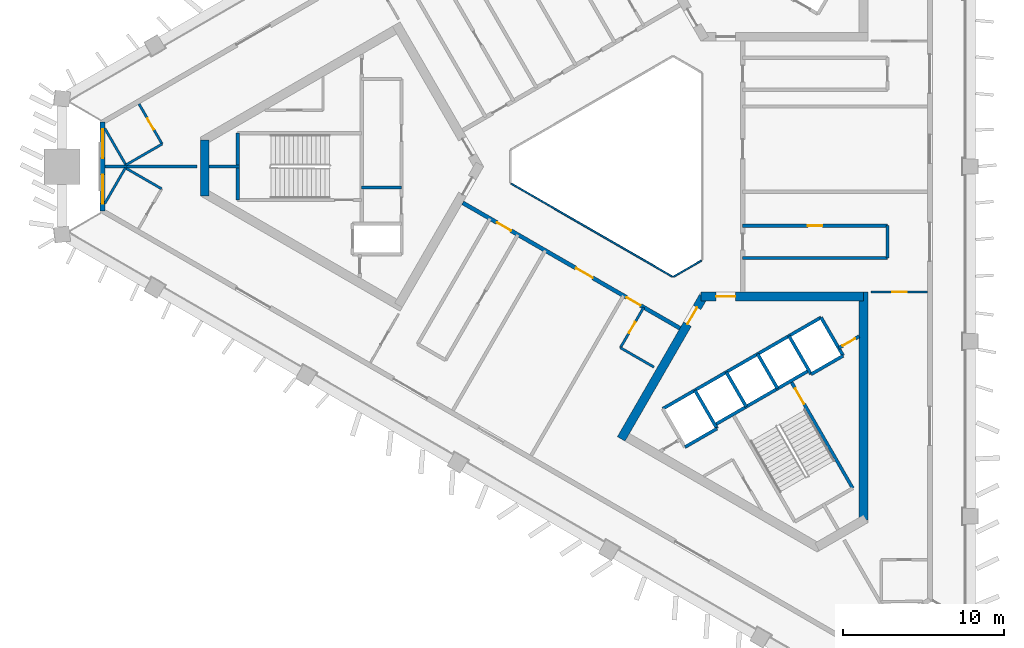
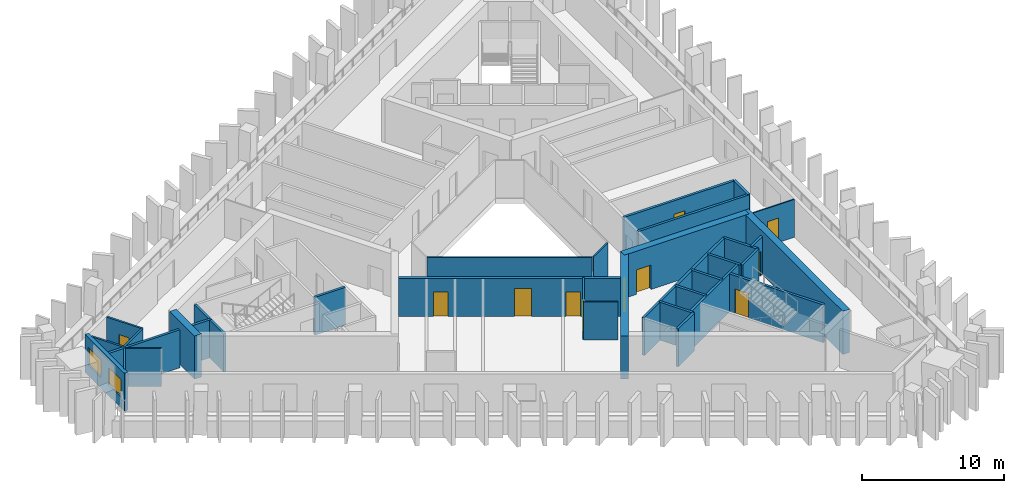
# One storey, part 3 of 10: 34 walls, 11 doors, 2 windows, 13 openings.
"""IFC4 building model written with IfcOpenShell, lengths in metres."""

from ifc_helpers import new_model, si_unit, direction, frame, frame_2d, origin, place, context, subcontext, project, spatial, rectangle, extrude, material, layer, layer_set, type_object, element, fill, save


model = new_model("IFC4")

# Units and contexts
model_context = context("Model", 3, precision=1e-05, world=origin(), true_north=direction((0.0, 1.0)))
body_context = subcontext(model_context, "Body", "Model", "MODEL_VIEW")
ifc_project = project(units=[si_unit("LENGTHUNIT", "METRE"), si_unit("AREAUNIT", "SQUARE_METRE"), si_unit("VOLUMEUNIT", "CUBIC_METRE"), si_unit("PLANEANGLEUNIT", "RADIAN"), si_unit("MASSUNIT", "GRAM", prefix="KILO")], contexts=[model_context])

# Site, building, storey
site_placement = place(None, origin())
site = spatial("IfcSite", under=ifc_project, at=site_placement, CompositionType="ELEMENT")
building_placement = place(site_placement, origin())
building = spatial("IfcBuilding", under=site, at=building_placement, Name="Jabali Bay Hotel Tower and Convention Centre", CompositionType="ELEMENT")
storey_placement = place(building_placement, frame((0.0, 0.0, 167.39990234375)))
storey = spatial("IfcBuildingStorey", under=building, at=storey_placement, Name="L40", CompositionType="ELEMENT", Elevation=167.39990234375)

# Walls
ifc_material_1 = material(Name="Fire-resistant glazing", Category="glass")
ifc_layer_1 = layer(ifc_material_1, 0.10009765625)
ifc_layer_set_1 = layer_set([ifc_layer_1], Name="Fire-resistant glazing")
wall_type_1 = type_object("IfcWallType", Name="Atrium glazed screen 100", PredefinedType="PARTITIONING", material=ifc_layer_set_1)
wall_1_placement = place(storey_placement, frame((67.7021484375, 78.947998046875, 0.0), z_axis=(0.0, 0.0, 1.0), x_axis=(0.866026658274, -0.499997827154, 0.0)))
element("IfcWall", 1, at=wall_1_placement, inside=storey, type_object=wall_type_1, Name="Atrium screen 5 L40", PredefinedType="PARTITIONING", context=body_context, shape_type="SweptSolid", body=[
    extrude(rectangle(XDim=11.58837890625, YDim=0.10009765625, at=frame_2d((5.794189453125, 0.0))), origin(), (0.0, 0.0, 1.0), 3.25),
])
wall_2_placement = place(storey_placement, frame((77.7978515625, 73.15380859375, 0.0), z_axis=(0.0, 0.0, 1.0), x_axis=(0.866041268327, 0.499972520799, 0.0)))
element("IfcWall", 2, at=wall_2_placement, inside=storey, type_object=wall_type_1, Name="Atrium screen 6 L40", PredefinedType="PARTITIONING", context=body_context, shape_type="SweptSolid", body=[
    extrude(rectangle(XDim=2.0, YDim=0.10009765625, at=frame_2d((1.0, 0.0))), origin(), (0.0, 0.0, 1.0), 3.25),
])
ifc_material_2 = material(Name="Concrete C40", Category="concrete")
ifc_layer_2 = layer(ifc_material_2, 0.199951171875)
ifc_layer_set_2 = layer_set([ifc_layer_2], Name="Concrete C40")
wall_type_2 = type_object("IfcWallType", Name="Core partition wall 200", PredefinedType="PARTITIONING", material=ifc_layer_set_2)
wall_3_placement = place(storey_placement, frame((50.820068359375, 80.0, 0.0), z_axis=(0.0, 0.0, 1.0), x_axis=(-1.0, 0.0, 0.0)))
element("IfcWall", 3, at=wall_3_placement, inside=storey, type_object=wall_type_2, Name="Core wall 0.3 L40", PredefinedType="PARTITIONING", context=body_context, shape_type="SweptSolid", body=[
    extrude(rectangle(XDim=1.873046875, YDim=0.199951171875, at=frame_2d((0.9365234375, 0.0))), origin(), (0.0, 0.0, 1.0), 3.25),
])

# Wall, opening, door
wall_4_placement = place(storey_placement, frame((88.064697265625, 68.72119140625, 0.0), z_axis=(0.0, 0.0, 1.0), x_axis=(0.865982457891, 0.500074377092, 0.0)))
wall_4 = element("IfcWall", 4, at=wall_4_placement, inside=storey, type_object=wall_type_2, Name="Core wall 2.12 L40", PredefinedType="PARTITIONING", context=body_context, shape_type="SweptSolid", body=[
    extrude(rectangle(XDim=1.461181640625, YDim=0.199951171875, at=frame_2d((0.73046875, 0.0))), origin(), (0.0, 0.0, 1.0), 3.25),
])
opening_1_placement = place(wall_4_placement, frame((0.280517578125, 0.0, 0.0)))
opening_1 = element("IfcOpeningElement", 5, at=opening_1_placement, cuts=wall_4, Name="Opening D881", PredefinedType="OPENING", context=body_context, shape_type="SweptSolid", body=[
    extrude(rectangle(XDim=0.89990234375, YDim=2.10009765625, at=frame_2d((0.449951171875, 1.050048828125))), frame((0.0, 0.1103515625, 0.0), z_axis=(0.0, -1.0, 0.0), x_axis=(1.0, 0.0, 0.0)), (0.0, 0.0, 1.0), 0.220947265625),
])
ifc_material_3 = material(Name="Fire-rated steel door", Category="steel")
door_type_1 = type_object("IfcDoorType", Name="Vestibule fire door 900 x 2100", OperationType="NOTDEFINED", PredefinedType="NOTDEFINED", material=ifc_material_3)
door_1_placement = place(opening_1_placement, origin())
door_1 = element("IfcDoor", 6, at=door_1_placement, inside=storey, type_object=door_type_1, Name="Vestibule fire door D881", OperationType="SINGLE_SWING_LEFT", OverallHeight=2.10009765625, OverallWidth=0.89990234375, PredefinedType="NOTDEFINED", context=body_context, shape_type="SweptSolid", body=[
    extrude(rectangle(XDim=0.89990234375, YDim=2.10009765625, at=frame_2d((0.449951171875, 1.050048828125))), frame((0.0, 0.02490234375, 0.0), z_axis=(0.0, -1.0, 0.0), x_axis=(1.0, 0.0, 0.0)), (0.0, 0.0, 1.0), 0.050048828125),
])
fill(opening_1, door_1)

# Walls
ifc_layer_3 = layer(ifc_material_2, 0.199951171875)
ifc_layer_set_3 = layer_set([ifc_layer_3], Name="Concrete C40")
wall_type_3 = type_object("IfcWallType", Name="Core stair wall 200", PredefinedType="SOLIDWALL", material=ifc_layer_set_3)
wall_5_placement = place(storey_placement, frame((60.89990234375, 78.699951171875, 0.0), z_axis=(0.0, 0.0, 1.0), x_axis=(-1.0, 0.0, 0.0)))
element("IfcWall", 7, at=wall_5_placement, inside=storey, type_object=wall_type_3, Name="Core wall 0.4 L40", PredefinedType="SOLIDWALL", context=body_context, shape_type="SweptSolid", body=[
    extrude(rectangle(XDim=2.47998046875, YDim=0.199951171875, at=frame_2d((1.239990234375, 0.0))), origin(), (0.0, 0.0, 1.0), 3.25),
])
wall_6_placement = place(storey_placement, frame((50.719970703125, 82.074951171875, 0.0), z_axis=(0.0, 0.0, 1.0), x_axis=(0.0, -1.0, 0.0)))
element("IfcWall", 8, at=wall_6_placement, inside=storey, type_object=wall_type_3, Name="Core wall 0.13 L40", PredefinedType="SOLIDWALL", context=body_context, shape_type="SweptSolid", body=[
    extrude(rectangle(XDim=4.14990234375, YDim=0.199951171875, at=frame_2d((2.074951171875, 0.0))), origin(), (0.0, 0.0, 1.0), 3.25),
])
wall_7_placement = place(storey_placement, frame((79.127197265625, 66.1015625, 0.0), z_axis=(0.0, 0.0, 1.0), x_axis=(0.499996545922, -0.866027397988, 0.0)))
element("IfcWall", 9, at=wall_7_placement, inside=storey, type_object=wall_type_3, Name="Core wall 2.2 L40", PredefinedType="SOLIDWALL", context=body_context, shape_type="SweptSolid", body=[
    extrude(rectangle(XDim=2.75, YDim=0.199951171875, at=frame_2d((1.375, 0.0))), origin(), (0.0, 0.0, 1.0), 3.25),
])
for number, where, z_axis, x_axis, name in (
    (10, (81.07568359375, 67.2265625, 0.0), (0.0, 0.0, 1.0), (0.50000366821, -0.866023285932, 0.0), "Core wall 2.4 L40"),
    (11, (83.024169921875, 68.3515625, 0.0), (0.0, 0.0, 1.0), (0.50000366821, -0.866023285932, 0.0), "Core wall 2.6 L40"),
):
    element("IfcWall", number, at=place(storey_placement, frame(where, z_axis=z_axis, x_axis=x_axis)), inside=storey, type_object=wall_type_3, Name=name, PredefinedType="SOLIDWALL", context=body_context, shape_type="SweptSolid", body=[
        extrude(rectangle(XDim=2.47998046875, YDim=0.199951171875, at=frame_2d((1.239990234375, 0.0))), origin(), (0.0, 0.0, 1.0), 3.25),
    ])

# Wall, opening, door
wall_8_placement = place(storey_placement, frame((85.0869140625, 66.6787109375, 0.0), z_axis=(0.0, 0.0, 1.0), x_axis=(0.500019787375, -0.866013979237, 0.0)))
wall_8 = element("IfcWall", 12, at=wall_8_placement, inside=storey, type_object=wall_type_3, Name="Core wall 2.7 L40", PredefinedType="SOLIDWALL", context=body_context, shape_type="SweptSolid", body=[
    extrude(rectangle(XDim=7.699951171875, YDim=0.199951171875, at=frame_2d((3.85009765625, 0.0))), origin(), (0.0, 0.0, 1.0), 3.25),
])
opening_2_placement = place(wall_8_placement, frame((0.550048828125, 0.0, 0.0)))
opening_2 = element("IfcOpeningElement", 13, at=opening_2_placement, cuts=wall_8, Name="Opening D883", PredefinedType="OPENING", context=body_context, shape_type="SweptSolid", body=[
    extrude(rectangle(XDim=1.10009765625, YDim=2.10009765625, at=frame_2d((0.550048828125, 1.050048828125))), frame((0.0, 0.1103515625, 0.0), z_axis=(0.0, -1.0, 0.0), x_axis=(1.0, 0.0, 0.0)), (0.0, 0.0, 1.0), 0.220947265625),
])
door_type_2 = type_object("IfcDoorType", Name="Stair fire door 1100 x 2100", OperationType="NOTDEFINED", PredefinedType="NOTDEFINED", material=ifc_material_3)
door_2_placement = place(opening_2_placement, origin())
door_2 = element("IfcDoor", 14, at=door_2_placement, inside=storey, type_object=door_type_2, Name="Stair fire door D883", OperationType="SINGLE_SWING_RIGHT", OverallHeight=2.10009765625, OverallWidth=1.10009765625, PredefinedType="NOTDEFINED", context=body_context, shape_type="SweptSolid", body=[
    extrude(rectangle(XDim=1.10009765625, YDim=2.10009765625, at=frame_2d((0.550048828125, 1.050048828125))), frame((0.0, 0.02490234375, 0.0), z_axis=(0.0, -1.0, 0.0), x_axis=(1.0, 0.0, 0.0)), (0.0, 0.0, 1.0), 0.050048828125),
])
fill(opening_2, door_2)

# Walls
for number, where, z_axis, x_axis, name in (
    (15, (84.972900390625, 69.4765625, 0.0), (0.0, 0.0, 1.0), (0.499996545922, -0.866027397988, 0.0), "Core wall 2.8 L40"),
    (16, (86.964599609375, 70.62646484375, 0.0), (0.0, 0.0, 1.0), (0.499996545922, -0.866027397988, 0.0), "Core wall 2.9 L40"),
):
    element("IfcWall", number, at=place(storey_placement, frame(where, z_axis=z_axis, x_axis=x_axis)), inside=storey, type_object=wall_type_3, Name=name, PredefinedType="SOLIDWALL", context=body_context, shape_type="SweptSolid", body=[
        extrude(rectangle(XDim=2.75, YDim=0.199951171875, at=frame_2d((1.375, 0.0))), origin(), (0.0, 0.0, 1.0), 3.25),
    ])
wall_9_placement = place(storey_placement, frame((77.13525390625, 64.95166015625, 0.0), z_axis=(0.0, 0.0, 1.0), x_axis=(0.866031916153, 0.499988720078, 0.0)))
element("IfcWall", 17, at=wall_9_placement, inside=storey, type_object=wall_type_3, Name="Core wall 2.10 L40", PredefinedType="SOLIDWALL", context=body_context, shape_type="SweptSolid", body=[
    extrude(rectangle(XDim=11.349853515625, YDim=0.199951171875, at=frame_2d((5.6748046875, 0.0))), origin(), (0.0, 0.0, 1.0), 3.25),
])
wall_10_placement = place(storey_placement, frame((80.3671875, 63.953857421875, 0.0), z_axis=(0.0, 0.0, 1.0), x_axis=(0.866026575979, 0.499997969693, 0.0)))
element("IfcWall", 18, at=wall_10_placement, inside=storey, type_object=wall_type_3, Name="Core wall 2.13 L40", PredefinedType="SOLIDWALL", context=body_context, shape_type="SweptSolid", body=[
    extrude(rectangle(XDim=6.75, YDim=0.199951171875, at=frame_2d((3.375, 0.0))), origin(), (0.0, 0.0, 1.0), 3.25),
])
wall_11_placement = place(storey_placement, frame((78.51025390625, 62.570068359375, 0.0), z_axis=(0.0, 0.0, 1.0), x_axis=(0.866053019151, 0.499952165731, 0.0)))
element("IfcWall", 19, at=wall_11_placement, inside=storey, type_object=wall_type_3, Name="Core wall 2.14 L40", PredefinedType="SOLIDWALL", context=body_context, shape_type="SweptSolid", body=[
    extrude(rectangle(XDim=2.300048828125, YDim=0.199951171875, at=frame_2d((1.14990234375, 0.0))), origin(), (0.0, 0.0, 1.0), 3.25),
])
wall_12_placement = place(storey_placement, frame((86.347900390625, 67.094970703125, 0.0), z_axis=(0.0, 0.0, 1.0), x_axis=(0.86602648383, 0.499998129301, 0.0)))
element("IfcWall", 20, at=wall_12_placement, inside=storey, type_object=wall_type_3, Name="Core wall 2.15 L40", PredefinedType="SOLIDWALL", context=body_context, shape_type="SweptSolid", body=[
    extrude(rectangle(XDim=2.2998046875, YDim=0.199951171875, at=frame_2d((1.14990234375, 0.0))), origin(), (0.0, 0.0, 1.0), 3.25),
])
ifc_material_4 = material(Name="Concrete C60", Category="concrete")
ifc_layer_4 = layer(ifc_material_4, 0.550048828125)
ifc_layer_set_4 = layer_set([ifc_layer_4], Name="Concrete C60")
wall_type_4 = type_object("IfcWallType", Name="Core wall 550", PredefinedType="SHEAR", material=ifc_layer_set_4)
wall_13_placement = place(storey_placement, frame((48.671875, 81.663818359375, 0.0), z_axis=(0.0, 0.0, 1.0), x_axis=(0.0, -1.0, 0.0)))
element("IfcWall", 21, at=wall_13_placement, inside=storey, type_object=wall_type_4, Name="Core wall 1.3 L40", PredefinedType="SHEAR", context=body_context, shape_type="SweptSolid", body=[
    extrude(rectangle(XDim=3.486572265625, YDim=0.550048828125, at=frame_2d((1.7431640625, 0.0))), origin(), (0.0, 0.0, 1.0), 3.7001953125),
])

# Wall, opening, door
wall_14_placement = place(storey_placement, frame((79.65869140625, 71.9306640625, 0.0), z_axis=(0.0, 0.0, 1.0), x_axis=(-0.500000202252, -0.866025287014, 0.0)))
wall_14 = element("IfcWall", 22, at=wall_14_placement, inside=storey, type_object=wall_type_4, Name="Core wall 3.1 L40", PredefinedType="SHEAR", context=body_context, shape_type="SweptSolid", body=[
    extrude(rectangle(XDim=10.22119140625, YDim=0.550048828125, at=frame_2d((5.110595703125, 0.0))), origin(), (0.0, 0.0, 1.0), 3.7001953125),
])
opening_3_placement = place(wall_14_placement, frame((0.791259765625, 0.0, 0.0)))
opening_3 = element("IfcOpeningElement", 23, at=opening_3_placement, cuts=wall_14, Name="Opening D879", PredefinedType="OPENING", context=body_context, shape_type="SweptSolid", body=[
    extrude(rectangle(XDim=1.199951171875, YDim=2.10009765625, at=frame_2d((0.60009765625, 1.050048828125))), frame((0.0, 0.28564453125, 0.0), z_axis=(0.0, -1.0, 0.0), x_axis=(1.0, 0.0, 0.0)), (0.0, 0.0, 1.0), 0.571044921875),
])
door_type_3 = type_object("IfcDoorType", Name="Corridor end fire door 1200 x 2100", OperationType="NOTDEFINED", PredefinedType="NOTDEFINED", material=ifc_material_3)
door_3_placement = place(opening_3_placement, origin())
door_3 = element("IfcDoor", 24, at=door_3_placement, inside=storey, type_object=door_type_3, Name="Corridor end fire door D879", OperationType="SINGLE_SWING_RIGHT", OverallHeight=2.10009765625, OverallWidth=1.199951171875, PredefinedType="NOTDEFINED", context=body_context, shape_type="SweptSolid", body=[
    extrude(rectangle(XDim=1.199951171875, YDim=2.10009765625, at=frame_2d((0.60009765625, 1.050048828125))), frame((0.0, 0.02490234375, 0.0), z_axis=(0.0, -1.0, 0.0), x_axis=(1.0, 0.0, 0.0)), (0.0, 0.0, 1.0), 0.050048828125),
])
fill(opening_3, door_3)

# Wall
wall_15_placement = place(storey_placement, frame((89.60498046875, 58.03125, 0.0), z_axis=(0.0, 0.0, 1.0), x_axis=(0.0, 1.0, 0.0)))
element("IfcWall", 25, at=wall_15_placement, inside=storey, type_object=wall_type_4, Name="Core wall 3.4 L40", PredefinedType="SHEAR", context=body_context, shape_type="SweptSolid", body=[
    extrude(rectangle(XDim=14.174560546875, YDim=0.550048828125, at=frame_2d((7.08740234375, 0.0))), origin(), (0.0, 0.0, 1.0), 3.7001953125),
])

# Wall, opening, door
wall_16_placement = place(storey_placement, frame((89.60498046875, 71.9306640625, 0.0), z_axis=(0.0, 0.0, 1.0), x_axis=(-1.0, 0.0, 0.0)))
wall_16 = element("IfcWall", 26, at=wall_16_placement, inside=storey, type_object=wall_type_4, Name="Core wall 3.5 L40", PredefinedType="SHEAR", context=body_context, shape_type="SweptSolid", body=[
    extrude(rectangle(XDim=10.10498046875, YDim=0.550048828125, at=frame_2d((5.052490234375, 0.0))), origin(), (0.0, 0.0, 1.0), 3.7001953125),
])
opening_4_placement = place(wall_16_placement, frame((7.955078125, 0.0, 0.0)))
opening_4 = element("IfcOpeningElement", 27, at=opening_4_placement, cuts=wall_16, Name="Opening D880", PredefinedType="OPENING", context=body_context, shape_type="SweptSolid", body=[
    extrude(rectangle(XDim=1.199951171875, YDim=2.10009765625, at=frame_2d((0.60009765625, 1.050048828125))), frame((0.0, 0.28564453125, 0.0), z_axis=(0.0, -1.0, 0.0), x_axis=(1.0, 0.0, 0.0)), (0.0, 0.0, 1.0), 0.571044921875),
])
door_4_placement = place(opening_4_placement, origin())
door_4 = element("IfcDoor", 28, at=door_4_placement, inside=storey, type_object=door_type_3, Name="Corridor end fire door D880", OperationType="SINGLE_SWING_LEFT", OverallHeight=2.10009765625, OverallWidth=1.199951171875, PredefinedType="NOTDEFINED", context=body_context, shape_type="SweptSolid", body=[
    extrude(rectangle(XDim=1.199951171875, YDim=2.10009765625, at=frame_2d((0.60009765625, 1.050048828125))), frame((0.0, 0.02490234375, 0.0), z_axis=(0.0, -1.0, 0.0), x_axis=(1.0, 0.0, 0.0)), (0.0, 0.0, 1.0), 0.050048828125),
])
fill(opening_4, door_4)

# Wall, openings, doors
ifc_layer_5 = layer(ifc_material_4, 0.25)
ifc_layer_set_5 = layer_set([ifc_layer_5], Name="Concrete C60")
wall_type_5 = type_object("IfcWallType", Name="Corridor wall 250", PredefinedType="SHEAR", material=ifc_layer_set_5)
wall_17_placement = place(storey_placement, frame((64.699951171875, 77.748291015625, 0.0), z_axis=(0.0, 0.0, 1.0), x_axis=(0.866026492143, -0.499998114903, 0.0)))
wall_17 = element("IfcWall", 29, at=wall_17_placement, inside=storey, type_object=wall_type_5, Name="Corridor wall 3 L40", PredefinedType="SHEAR", context=body_context, shape_type="SweptSolid", body=[
    extrude(rectangle(XDim=15.58837890625, YDim=0.25, at=frame_2d((7.794189453125, 0.0))), origin(), (0.0, 0.0, 1.0), 3.25),
])
opening_5_placement = place(wall_17_placement, frame((2.4619140625, 0.0, 0.0)))
opening_5 = element("IfcOpeningElement", 30, at=opening_5_placement, cuts=wall_17, Name="Opening 4018", PredefinedType="OPENING", context=body_context, shape_type="SweptSolid", body=[
    extrude(rectangle(XDim=1.0, YDim=2.10009765625, at=frame_2d((0.5, 1.050048828125))), frame((0.0, 0.135498046875, 0.0), z_axis=(0.0, -1.0, 0.0), x_axis=(1.0, 0.0, 0.0)), (0.0, 0.0, 1.0), 0.27099609375),
])
opening_6_placement = place(wall_17_placement, frame((8.12939453125, 0.0, 0.0)))
opening_6 = element("IfcOpeningElement", 31, at=opening_6_placement, cuts=wall_17, Name="Opening 4022", PredefinedType="OPENING", context=body_context, shape_type="SweptSolid", body=[
    extrude(rectangle(XDim=1.199951171875, YDim=2.39990234375, at=frame_2d((0.60009765625, 1.199951171875))), frame((0.0, 0.135498046875, 0.0), z_axis=(0.0, -1.0, 0.0), x_axis=(1.0, 0.0, 0.0)), (0.0, 0.0, 1.0), 0.27099609375),
])
opening_7_placement = place(wall_17_placement, frame((11.761962890625, 0.0, 0.0)))
opening_7 = element("IfcOpeningElement", 32, at=opening_7_placement, cuts=wall_17, Name="Opening 4024", PredefinedType="OPENING", context=body_context, shape_type="SweptSolid", body=[
    extrude(rectangle(XDim=1.0, YDim=2.10009765625, at=frame_2d((0.5, 1.050048828125))), frame((0.0, 0.135498046875, 0.0), z_axis=(0.0, -1.0, 0.0), x_axis=(1.0, 0.0, 0.0)), (0.0, 0.0, 1.0), 0.27099609375),
])
ifc_material_5 = material(Name="Timber", Category="wood")
door_type_4 = type_object("IfcDoorType", Name="Guest room door 1000 x 2100", OperationType="NOTDEFINED", PredefinedType="NOTDEFINED", material=ifc_material_5)
door_5_placement = place(opening_5_placement, origin())
door_5 = element("IfcDoor", 33, at=door_5_placement, inside=storey, type_object=door_type_4, Name="Door 4018", OperationType="SINGLE_SWING_LEFT", OverallHeight=2.10009765625, OverallWidth=1.0, PredefinedType="NOTDEFINED", context=body_context, shape_type="SweptSolid", body=[
    extrude(rectangle(XDim=1.0, YDim=2.10009765625, at=frame_2d((0.5, 1.050048828125))), frame((0.0, 0.02490234375, 0.0), z_axis=(0.0, -1.0, 0.0), x_axis=(1.0, 0.0, 0.0)), (0.0, 0.0, 1.0), 0.050048828125),
])
fill(opening_5, door_5)
door_6_placement = place(opening_7_placement, origin())
door_6 = element("IfcDoor", 34, at=door_6_placement, inside=storey, type_object=door_type_4, Name="Door 4024", OperationType="SINGLE_SWING_RIGHT", OverallHeight=2.10009765625, OverallWidth=1.0, PredefinedType="NOTDEFINED", context=body_context, shape_type="SweptSolid", body=[
    extrude(rectangle(XDim=1.0, YDim=2.10009765625, at=frame_2d((0.5, 1.050048828125))), frame((0.0, 0.02490234375, 0.0), z_axis=(0.0, -1.0, 0.0), x_axis=(1.0, 0.0, 0.0)), (0.0, 0.0, 1.0), 0.050048828125),
])
fill(opening_7, door_6)
door_type_5 = type_object("IfcDoorType", Name="Public room door 1200 x 2400", OperationType="NOTDEFINED", PredefinedType="NOTDEFINED", material=ifc_material_5)
door_7_placement = place(opening_6_placement, origin())
door_7 = element("IfcDoor", 35, at=door_7_placement, inside=storey, type_object=door_type_5, Name="Door 4022", OperationType="SINGLE_SWING_RIGHT", OverallHeight=2.39990234375, OverallWidth=1.199951171875, PredefinedType="NOTDEFINED", context=body_context, shape_type="SweptSolid", body=[
    extrude(rectangle(XDim=1.199951171875, YDim=2.39990234375, at=frame_2d((0.60009765625, 1.199951171875))), frame((0.0, 0.02490234375, 0.0), z_axis=(0.0, -1.0, 0.0), x_axis=(1.0, 0.0, 0.0)), (0.0, 0.0, 1.0), 0.050048828125),
])
fill(opening_6, door_7)

# Wall, openings, windows
ifc_layer_6 = layer(ifc_material_2, 0.300048828125)
ifc_layer_set_6 = layer_set([ifc_layer_6], Name="Concrete C40")
wall_type_6 = type_object("IfcWallType", Name="External wall 300", PredefinedType="SOLIDWALL", material=ifc_layer_set_6)
wall_18_placement = place(storey_placement, frame((42.3193359375, 77.245361328125, 0.0), z_axis=(0.0, 0.0, 1.0), x_axis=(0.0, 1.0, 0.0)))
wall_18 = element("IfcWall", 36, at=wall_18_placement, inside=storey, type_object=wall_type_6, Name="External wall west chamfer L40", PredefinedType="SOLIDWALL", context=body_context, shape_type="SweptSolid", body=[
    extrude(rectangle(XDim=5.50927734375, YDim=0.300048828125, at=frame_2d((2.754638671875, 0.0))), origin(), (0.0, 0.0, 1.0), 3.25),
])
opening_8_placement = place(wall_18_placement, frame((3.275634765625, 0.0, 0.89990234375)))
opening_8 = element("IfcOpeningElement", 37, at=opening_8_placement, cuts=wall_18, Name="Opening W1", PredefinedType="OPENING", context=body_context, shape_type="SweptSolid", body=[
    extrude(rectangle(XDim=1.800048828125, YDim=1.5, at=frame_2d((0.89990234375, 0.75))), frame((0.0, 0.16064453125, 0.0), z_axis=(0.0, -1.0, 0.0), x_axis=(1.0, 0.0, 0.0)), (0.0, 0.0, 1.0), 0.321044921875),
])
opening_9_placement = place(wall_18_placement, frame((0.4541015625, 0.0, 0.89990234375)))
opening_9 = element("IfcOpeningElement", 38, at=opening_9_placement, cuts=wall_18, Name="Opening W1", PredefinedType="OPENING", context=body_context, shape_type="SweptSolid", body=[
    extrude(rectangle(XDim=1.800048828125, YDim=1.5, at=frame_2d((0.89990234375, 0.75))), frame((0.0, 0.16064453125, 0.0), z_axis=(0.0, -1.0, 0.0), x_axis=(1.0, 0.0, 0.0)), (0.0, 0.0, 1.0), 0.321044921875),
])
ifc_material_6 = material(Name="Glass", Category="glass")
window_type = type_object("IfcWindowType", Name="Window 1800 x 1500", PartitioningType="SINGLE_PANEL", PredefinedType="WINDOW", material=ifc_material_6)
window_1_placement = place(opening_8_placement, origin())
window_1 = element("IfcWindow", 39, at=window_1_placement, inside=storey, type_object=window_type, Name="Window 4008", OverallHeight=1.5, OverallWidth=1.800048828125, PartitioningType="SINGLE_PANEL", PredefinedType="WINDOW", context=body_context, shape_type="SweptSolid", body=[
    extrude(rectangle(XDim=1.800048828125, YDim=1.5, at=frame_2d((0.89990234375, 0.75))), frame((0.0, 0.030029296875, 0.0), z_axis=(0.0, -1.0, 0.0), x_axis=(1.0, 0.0, 0.0)), (0.0, 0.0, 1.0), 0.06005859375),
])
fill(opening_8, window_1)
window_2_placement = place(opening_9_placement, origin())
window_2 = element("IfcWindow", 40, at=window_2_placement, inside=storey, type_object=window_type, Name="Window 4010", OverallHeight=1.5, OverallWidth=1.800048828125, PartitioningType="SINGLE_PANEL", PredefinedType="WINDOW", context=body_context, shape_type="SweptSolid", body=[
    extrude(rectangle(XDim=1.800048828125, YDim=1.5, at=frame_2d((0.89990234375, 0.75))), frame((0.0, 0.030029296875, 0.0), z_axis=(0.0, -1.0, 0.0), x_axis=(1.0, 0.0, 0.0)), (0.0, 0.0, 1.0), 0.06005859375),
])
fill(opening_9, window_2)

# Wall, opening, door
ifc_material_7 = material(Name="Plasterboard on steel stud", Category="steel")
ifc_layer_7 = layer(ifc_material_7, 0.10009765625)
ifc_layer_set_7 = layer_set([ifc_layer_7], Name="Plasterboard on steel stud")
wall_type_7 = type_object("IfcWallType", Name="Partition 100 unit", PredefinedType="PARTITIONING", material=ifc_layer_set_7)
wall_19_placement = place(storey_placement, frame((90.0791015625, 72.205810546875, 0.0), z_axis=(0.0, 0.0, 1.0), x_axis=(1.0, 0.0, 0.0)))
wall_19 = element("IfcWall", 41, at=wall_19_placement, inside=storey, type_object=wall_type_7, Name="Partition P02 L40 001", PredefinedType="PARTITIONING", context=body_context, shape_type="SweptSolid", body=[
    extrude(rectangle(XDim=3.498046875, YDim=0.10009765625, at=frame_2d((1.7490234375, 0.0))), origin(), (0.0, 0.0, 1.0), 3.25),
])
opening_10_placement = place(wall_19_placement, frame((1.299072265625, 0.0, 0.0)))
opening_10 = element("IfcOpeningElement", 42, at=opening_10_placement, cuts=wall_19, Name="Opening 4002", PredefinedType="OPENING", context=body_context, shape_type="SweptSolid", body=[
    extrude(rectangle(XDim=0.89990234375, YDim=2.10009765625, at=frame_2d((0.449951171875, 1.050048828125))), frame((0.0, 0.060546875, 0.0), z_axis=(0.0, -1.0, 0.0), x_axis=(1.0, 0.0, 0.0)), (0.0, 0.0, 1.0), 0.12109375),
])
door_type_6 = type_object("IfcDoorType", Name="Internal door 900 x 2100", OperationType="NOTDEFINED", PredefinedType="NOTDEFINED", material=ifc_material_5)
door_8_placement = place(opening_10_placement, origin())
door_8 = element("IfcDoor", 43, at=door_8_placement, inside=storey, type_object=door_type_6, Name="Door 4002", OperationType="SINGLE_SWING_LEFT", OverallHeight=2.10009765625, OverallWidth=0.89990234375, PredefinedType="NOTDEFINED", context=body_context, shape_type="SweptSolid", body=[
    extrude(rectangle(XDim=0.89990234375, YDim=2.10009765625, at=frame_2d((0.449951171875, 1.050048828125))), frame((0.0, 0.02490234375, 0.0), z_axis=(0.0, -1.0, 0.0), x_axis=(1.0, 0.0, 0.0)), (0.0, 0.0, 1.0), 0.050048828125),
])
fill(opening_10, door_8)

ifc_layer_8 = layer(ifc_material_7, 0.14990234375)
ifc_layer_set_8 = layer_set([ifc_layer_8], Name="Plasterboard on steel stud")
wall_type_8 = type_object("IfcWallType", Name="Partition 150 wet", PredefinedType="PARTITIONING", material=ifc_layer_set_8)
wall_20_placement = place(storey_placement, frame((44.58544921875, 83.89111328125, 0.0), z_axis=(0.0, 0.0, 1.0), x_axis=(0.500001735503, -0.866024401789, 0.0)))
wall_20 = element("IfcWall", 44, at=wall_20_placement, inside=storey, type_object=wall_type_8, Name="Partition P03 L40 028", PredefinedType="PARTITIONING", context=body_context, shape_type="SweptSolid", body=[
    extrude(rectangle(XDim=2.87548828125, YDim=0.14990234375, at=frame_2d((1.437744140625, 0.0))), origin(), (0.0, 0.0, 1.0), 3.25),
])
opening_11_placement = place(wall_20_placement, frame((1.0380859375, 0.0, 0.0)))
opening_11 = element("IfcOpeningElement", 45, at=opening_11_placement, cuts=wall_20, Name="Opening 4016", PredefinedType="OPENING", context=body_context, shape_type="SweptSolid", body=[
    extrude(rectangle(XDim=0.800048828125, YDim=2.10009765625, at=frame_2d((0.39990234375, 1.050048828125))), frame((0.0, 0.08544921875, 0.0), z_axis=(0.0, -1.0, 0.0), x_axis=(1.0, 0.0, 0.0)), (0.0, 0.0, 1.0), 0.1708984375),
])
door_type_7 = type_object("IfcDoorType", Name="En-suite door 800 x 2100", OperationType="NOTDEFINED", PredefinedType="NOTDEFINED", material=ifc_material_5)
door_9_placement = place(opening_11_placement, origin())
door_9 = element("IfcDoor", 46, at=door_9_placement, inside=storey, type_object=door_type_7, Name="Door 4016", OperationType="SINGLE_SWING_LEFT", OverallHeight=2.10009765625, OverallWidth=0.800048828125, PredefinedType="NOTDEFINED", context=body_context, shape_type="SweptSolid", body=[
    extrude(rectangle(XDim=0.800048828125, YDim=2.10009765625, at=frame_2d((0.39990234375, 1.050048828125))), frame((0.0, 0.02490234375, 0.0), z_axis=(0.0, -1.0, 0.0), x_axis=(1.0, 0.0, 0.0)), (0.0, 0.0, 1.0), 0.050048828125),
])
fill(opening_11, door_9)

# Walls
wall_21_placement = place(storey_placement, frame((46.023193359375, 81.40087890625, 0.0), z_axis=(0.0, 0.0, 1.0), x_axis=(-0.866021400173, -0.500006934395, 0.0)))
element("IfcWall", 47, at=wall_21_placement, inside=storey, type_object=wall_type_8, Name="Partition P03 L40 029", PredefinedType="PARTITIONING", context=body_context, shape_type="SweptSolid", body=[
    extrude(rectangle(XDim=2.60009765625, YDim=0.14990234375, at=frame_2d((1.300048828125, 0.0))), origin(), (0.0, 0.0, 1.0), 3.25),
])
wall_22_placement = place(storey_placement, frame((43.771484375, 80.100830078125, 0.0), z_axis=(0.0, 0.0, 1.0), x_axis=(-0.49998731371, 0.866032728093, 0.0)))
element("IfcWall", 48, at=wall_22_placement, inside=storey, type_object=wall_type_8, Name="Partition P03 L40 030", PredefinedType="PARTITIONING", context=body_context, shape_type="SweptSolid", body=[
    extrude(rectangle(XDim=2.6064453125, YDim=0.14990234375, at=frame_2d((1.30322265625, 0.0))), origin(), (0.0, 0.0, 1.0), 3.25),
])
wall_23_placement = place(storey_placement, frame((42.46826171875, 77.7177734375, 0.0), z_axis=(0.0, 0.0, 1.0), x_axis=(0.4999525809, 0.866052779484, 0.0)))
element("IfcWall", 49, at=wall_23_placement, inside=storey, type_object=wall_type_8, Name="Partition P03 L40 037", PredefinedType="PARTITIONING", context=body_context, shape_type="SweptSolid", body=[
    extrude(rectangle(XDim=2.540771484375, YDim=0.14990234375, at=frame_2d((1.2705078125, 0.0))), origin(), (0.0, 0.0, 1.0), 3.25),
])
wall_24_placement = place(storey_placement, frame((43.738525390625, 79.918212890625, 0.0), z_axis=(0.0, 0.0, 1.0), x_axis=(0.866021400173, -0.500006934395, 0.0)))
element("IfcWall", 50, at=wall_24_placement, inside=storey, type_object=wall_type_8, Name="Partition P03 L40 038", PredefinedType="PARTITIONING", context=body_context, shape_type="SweptSolid", body=[
    extrude(rectangle(XDim=2.60009765625, YDim=0.14990234375, at=frame_2d((1.300048828125, 0.0))), origin(), (0.0, 0.0, 1.0), 3.25),
])
wall_25_placement = place(storey_placement, frame((76.57763671875, 67.542236328125, 0.0), z_axis=(0.0, 0.0, 1.0), x_axis=(-0.866038271014, 0.499977712642, 0.0)))
element("IfcWall", 51, at=wall_25_placement, inside=storey, type_object=wall_type_8, Name="Partition P03 L40 041", PredefinedType="PARTITIONING", context=body_context, shape_type="SweptSolid", body=[
    extrude(rectangle(XDim=2.40087890625, YDim=0.14990234375, at=frame_2d((1.200439453125, 0.0))), origin(), (0.0, 0.0, 1.0), 3.25),
])

# Wall, opening, door
wall_26_placement = place(storey_placement, frame((74.498291015625, 68.74267578125, 0.0), z_axis=(0.0, 0.0, 1.0), x_axis=(0.499987231761, 0.866032775405, 0.0)))
wall_26 = element("IfcWall", 52, at=wall_26_placement, inside=storey, type_object=wall_type_8, Name="Partition P03 L40 042", PredefinedType="PARTITIONING", context=body_context, shape_type="SweptSolid", body=[
    extrude(rectangle(XDim=2.89990234375, YDim=0.14990234375, at=frame_2d((1.449951171875, 0.0))), origin(), (0.0, 0.0, 1.0), 3.25),
])
opening_12_placement = place(wall_26_placement, frame((1.050048828125, 0.0, 0.0)))
opening_12 = element("IfcOpeningElement", 53, at=opening_12_placement, cuts=wall_26, Name="Opening 4023", PredefinedType="OPENING", context=body_context, shape_type="SweptSolid", body=[
    extrude(rectangle(XDim=0.800048828125, YDim=2.10009765625, at=frame_2d((0.39990234375, 1.050048828125))), frame((0.0, 0.08544921875, 0.0), z_axis=(0.0, -1.0, 0.0), x_axis=(1.0, 0.0, 0.0)), (0.0, 0.0, 1.0), 0.1708984375),
])
door_10_placement = place(opening_12_placement, origin())
door_10 = element("IfcDoor", 54, at=door_10_placement, inside=storey, type_object=door_type_7, Name="Door 4023", OperationType="SINGLE_SWING_RIGHT", OverallHeight=2.10009765625, OverallWidth=0.800048828125, PredefinedType="NOTDEFINED", context=body_context, shape_type="SweptSolid", body=[
    extrude(rectangle(XDim=0.800048828125, YDim=2.10009765625, at=frame_2d((0.39990234375, 1.050048828125))), frame((0.0, 0.02490234375, 0.0), z_axis=(0.0, -1.0, 0.0), x_axis=(1.0, 0.0, 0.0)), (0.0, 0.0, 1.0), 0.050048828125),
])
fill(opening_12, door_10)

ifc_layer_9 = layer(ifc_material_7, 0.199951171875)
ifc_layer_set_9 = layer_set([ifc_layer_9], Name="Plasterboard on steel stud")
wall_type_9 = type_object("IfcWallType", Name="Partition 200 party", PredefinedType="PARTITIONING", material=ifc_layer_set_9)
wall_27_placement = place(storey_placement, frame((82.10009765625, 76.323486328125, 0.0), z_axis=(0.0, 0.0, 1.0), x_axis=(1.0, 0.0, 0.0)))
wall_27 = element("IfcWall", 55, at=wall_27_placement, inside=storey, type_object=wall_type_9, Name="Partition P01 L40 002", PredefinedType="PARTITIONING", context=body_context, shape_type="SweptSolid", body=[
    extrude(rectangle(XDim=9.0, YDim=0.199951171875, at=frame_2d((4.5, 0.0))), origin(), (0.0, 0.0, 1.0), 3.25),
])
opening_13_placement = place(wall_27_placement, frame((4.050048828125, 0.0, 0.0)))
opening_13 = element("IfcOpeningElement", 56, at=opening_13_placement, cuts=wall_27, Name="Opening 4004", PredefinedType="OPENING", context=body_context, shape_type="SweptSolid", body=[
    extrude(rectangle(XDim=0.89990234375, YDim=2.10009765625, at=frame_2d((0.449951171875, 1.050048828125))), frame((0.0, 0.1103515625, 0.0), z_axis=(0.0, -1.0, 0.0), x_axis=(1.0, 0.0, 0.0)), (0.0, 0.0, 1.0), 0.220947265625),
])
door_11_placement = place(opening_13_placement, origin())
door_11 = element("IfcDoor", 57, at=door_11_placement, inside=storey, type_object=door_type_6, Name="Door 4004", OperationType="SINGLE_SWING_RIGHT", OverallHeight=2.10009765625, OverallWidth=0.89990234375, PredefinedType="NOTDEFINED", context=body_context, shape_type="SweptSolid", body=[
    extrude(rectangle(XDim=0.89990234375, YDim=2.10009765625, at=frame_2d((0.449951171875, 1.050048828125))), frame((0.0, 0.02490234375, 0.0), z_axis=(0.0, -1.0, 0.0), x_axis=(1.0, 0.0, 0.0)), (0.0, 0.0, 1.0), 0.050048828125),
])
fill(opening_13, door_11)

# Walls
wall_28_placement = place(storey_placement, frame((91.10009765625, 76.323486328125, 0.0), z_axis=(0.0, 0.0, 1.0), x_axis=(0.0, -1.0, 0.0)))
element("IfcWall", 58, at=wall_28_placement, inside=storey, type_object=wall_type_9, Name="Partition P01 L40 003", PredefinedType="PARTITIONING", context=body_context, shape_type="SweptSolid", body=[
    extrude(rectangle(XDim=2.0, YDim=0.199951171875, at=frame_2d((1.0, 0.0))), origin(), (0.0, 0.0, 1.0), 3.25),
])
wall_29_placement = place(storey_placement, frame((91.10009765625, 74.323486328125, 0.0), z_axis=(0.0, 0.0, 1.0), x_axis=(-1.0, 0.0, 0.0)))
element("IfcWall", 59, at=wall_29_placement, inside=storey, type_object=wall_type_9, Name="Partition P01 L40 004", PredefinedType="PARTITIONING", context=body_context, shape_type="SweptSolid", body=[
    extrude(rectangle(XDim=9.0, YDim=0.199951171875, at=frame_2d((4.5, 0.0))), origin(), (0.0, 0.0, 1.0), 3.25),
])
wall_30_placement = place(storey_placement, frame((42.46826171875, 80.0, 0.0), z_axis=(0.0, 0.0, 1.0), x_axis=(1.0, 0.0, 0.0)))
element("IfcWall", 60, at=wall_30_placement, inside=storey, type_object=wall_type_9, Name="Partition P01 L40 031", PredefinedType="PARTITIONING", context=body_context, shape_type="SweptSolid", body=[
    extrude(rectangle(XDim=5.729736328125, YDim=0.199951171875, at=frame_2d((2.86474609375, 0.0))), origin(), (0.0, 0.0, 1.0), 3.25),
])

save(model, "model.ifc")
